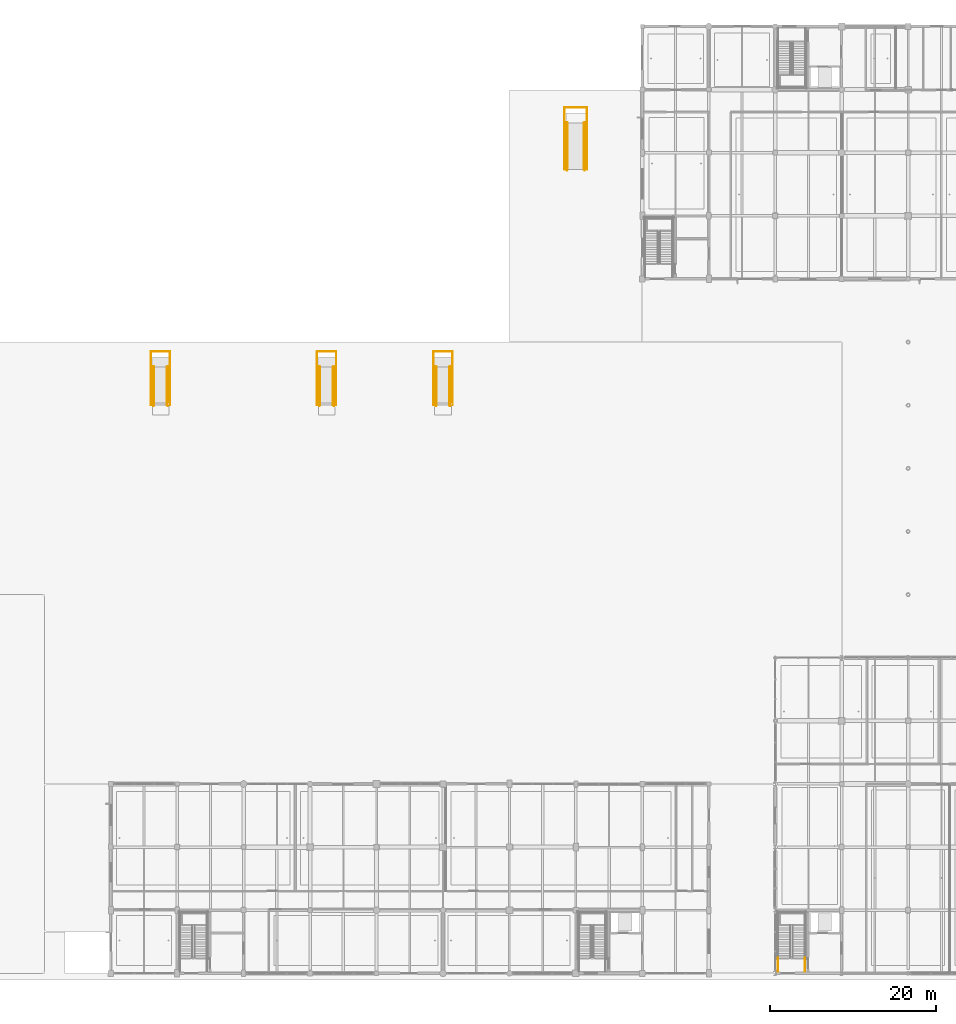
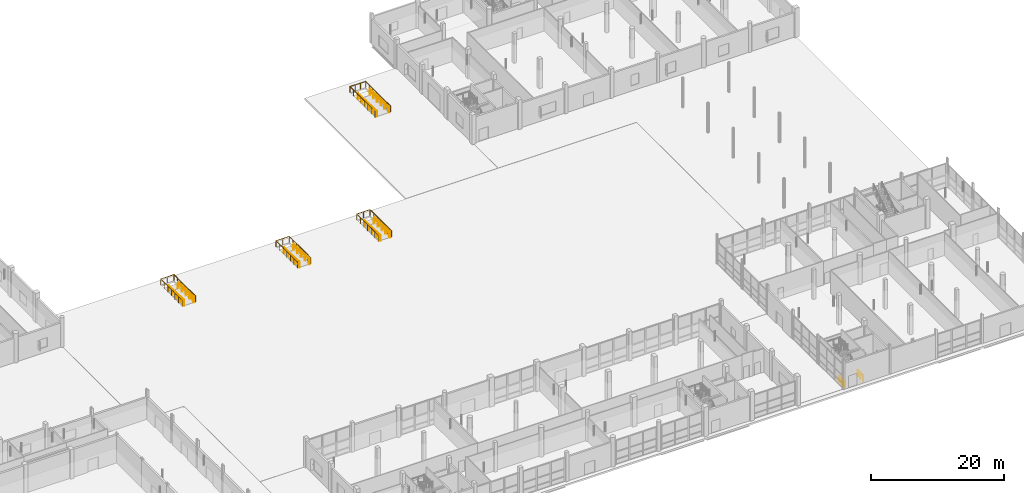
# One storey, part 120 of 126: 22 railings.
"""IFC4 building model written with IfcOpenShell, lengths in metres."""

from ifc_helpers import new_model, si_unit, direction, frame, origin, origin_2d, place, context, subcontext, project, spatial, circle, extrude, material, type_object, element, save


model = new_model("IFC4")

# Units and contexts
model_context = context("Model", 3, precision=1e-05, world=origin(), true_north=direction((0.0, 1.0)))
body_context = subcontext(model_context, "Body", "Model", "MODEL_VIEW")
ifc_project = project(units=[si_unit("LENGTHUNIT", "METRE"), si_unit("AREAUNIT", "SQUARE_METRE"), si_unit("VOLUMEUNIT", "CUBIC_METRE"), si_unit("PLANEANGLEUNIT", "RADIAN"), si_unit("MASSUNIT", "GRAM", prefix="KILO")], contexts=[model_context])

# Site, building, storey
site_placement = place(None, origin())
site = spatial("IfcSite", under=ifc_project, at=site_placement, CompositionType="ELEMENT")
building_placement = place(site_placement, origin())
building = spatial("IfcBuilding", under=site, at=building_placement, Name="Khelvaren Railside Concert Hall", CompositionType="ELEMENT")
storey_placement = place(building_placement, origin())
storey = spatial("IfcBuildingStorey", under=building, at=storey_placement, Name="L00", CompositionType="ELEMENT", Elevation=0.0)

# Railings
ifc_material_1 = material(Name="Painted architectural steel", Category="steel")
railing_type_1 = type_object("IfcRailingType", Name="GRD40", PredefinedType="GUARDRAIL", material=ifc_material_1)
for number, where, name in (
    (1, (70.860107421875, 73.050048828125, -0.199951171875), "Ramp Edge Guardrail RMP-03-L"),
    (2, (69.139892578125, 73.050048828125, -0.199951171875), "Ramp Edge Guardrail RMP-03-R"),
    (3, (90.860107421875, 73.050048828125, -0.199951171875), "Ramp Edge Guardrail RMP-04-L"),
    (4, (89.139892578125, 73.050048828125, -0.199951171875), "Ramp Edge Guardrail RMP-04-R"),
    (5, (104.860107421875, 73.050048828125, -0.199951171875), "Ramp Edge Guardrail RMP-05-L"),
    (6, (103.139892578125, 73.050048828125, -0.199951171875), "Ramp Edge Guardrail RMP-05-R"),
):
    element("IfcRailing", number, at=place(storey_placement, frame(where)), inside=storey, type_object=railing_type_1, Name=name, PredefinedType="GUARDRAIL", context=body_context, shape_type="SweptSolid", body=[
        extrude(circle(Radius=0.02392578125, at=origin_2d()), frame((0.0, 0.0, 1.09619140625), z_axis=(0.0, -1.0, 0.0), x_axis=(1.0, 0.0, 0.0)), (0.0, 0.0, 1.0), 0.050048828125),
        extrude(circle(Radius=0.02392578125, at=origin_2d()), frame((0.0, -0.050048828125, 1.09619140625), z_axis=(0.0, -0.999056658504, 0.043425719314), x_axis=(1.0, 0.0, 0.0)), (0.0, 0.0, 1.0), 4.6044921875),
        extrude(circle(Radius=0.02392578125, at=origin_2d()), frame((0.0, -4.650146484375, 1.2958984375), z_axis=(0.0, -1.0, 0.0), x_axis=(1.0, 0.0, 0.0)), (0.0, 0.0, 1.0), 0.119873046875),
        extrude(circle(Radius=0.02099609375, at=origin_2d()), origin(), (0.0, 0.0, 1.0), 1.072021484375),
        extrude(circle(Radius=0.02099609375, at=origin_2d()), frame((0.0, -0.050048828125, 0.0)), (0.0, 0.0, 1.0), 1.072021484375),
        extrude(circle(Radius=0.02099609375, at=origin_2d()), frame((0.0, -1.2001953125, 0.050048828125)), (0.0, 0.0, 1.0), 1.072021484375),
        extrude(circle(Radius=0.02099609375, at=origin_2d()), frame((0.0, -2.35009765625, 0.10009765625)), (0.0, 0.0, 1.0), 1.072021484375),
        extrude(circle(Radius=0.02099609375, at=origin_2d()), frame((0.0, -3.5, 0.14990234375)), (0.0, 0.0, 1.0), 1.072021484375),
        extrude(circle(Radius=0.02099609375, at=origin_2d()), frame((0.0, -4.650146484375, 0.199951171875)), (0.0, 0.0, 1.0), 1.072021484375),
        extrude(circle(Radius=0.02099609375, at=origin_2d()), frame((0.0, -4.77001953125, 0.199951171875)), (0.0, 0.0, 1.0), 1.072021484375),
    ])
for number, where, name in (
    (7, (121.06005859375, 102.449951171875, -0.199951171875), "Ramp Edge Guardrail RMP-06-L"),
    (8, (118.93994140625, 102.449951171875, -0.199951171875), "Ramp Edge Guardrail RMP-06-R"),
):
    element("IfcRailing", number, at=place(storey_placement, frame(where)), inside=storey, type_object=railing_type_1, Name=name, PredefinedType="GUARDRAIL", context=body_context, shape_type="SweptSolid", body=[
        extrude(circle(Radius=0.02392578125, at=origin_2d()), frame((0.0, 0.0, 1.09619140625), z_axis=(0.0, -1.0, 0.0), x_axis=(1.0, 0.0, 0.0)), (0.0, 0.0, 1.0), 0.050048828125),
        extrude(circle(Radius=0.02392578125, at=origin_2d()), frame((0.0, -0.050048828125, 1.09619140625), z_axis=(0.0, -0.999363131833, 0.035683760081), x_axis=(1.0, 0.0, 0.0)), (0.0, 0.0, 1.0), 5.603515625),
        extrude(circle(Radius=0.02392578125, at=origin_2d()), frame((0.0, -5.64990234375, 1.2958984375), z_axis=(0.0, -1.0, 0.0), x_axis=(1.0, 0.0, 0.0)), (0.0, 0.0, 1.0), 0.1201171875),
        extrude(circle(Radius=0.02099609375, at=origin_2d()), origin(), (0.0, 0.0, 1.0), 1.072021484375),
        extrude(circle(Radius=0.02099609375, at=origin_2d()), frame((0.0, -0.050048828125, 0.0)), (0.0, 0.0, 1.0), 1.072021484375),
        extrude(circle(Radius=0.02099609375, at=origin_2d()), frame((0.0, -1.169921875, 0.0400390625)), (0.0, 0.0, 1.0), 1.072021484375),
        extrude(circle(Radius=0.02099609375, at=origin_2d()), frame((0.0, -2.2900390625, 0.080078125)), (0.0, 0.0, 1.0), 1.072021484375),
        extrude(circle(Radius=0.02099609375, at=origin_2d()), frame((0.0, -3.409912109375, 0.119873046875)), (0.0, 0.0, 1.0), 1.072021484375),
        extrude(circle(Radius=0.02099609375, at=origin_2d()), frame((0.0, -4.530029296875, 0.159912109375)), (0.0, 0.0, 1.0), 1.072021484375),
        extrude(circle(Radius=0.02099609375, at=origin_2d()), frame((0.0, -5.64990234375, 0.199951171875)), (0.0, 0.0, 1.0), 1.072021484375),
        extrude(circle(Radius=0.02099609375, at=origin_2d()), frame((0.0, -5.77001953125, 0.199951171875)), (0.0, 0.0, 1.0), 1.072021484375),
    ])
railing_1_placement = place(storey_placement, frame((68.85009765625, 68.39990234375, 0.0)))
element("IfcRailing", 9, at=railing_1_placement, inside=storey, type_object=railing_type_1, Name="Apron Ramp Pocket Guardrail RMP-03", PredefinedType="GUARDRAIL", context=body_context, shape_type="SweptSolid", body=[
    extrude(circle(Radius=0.02392578125, at=origin_2d()), frame((0.0, 0.0, 1.09619140625), z_axis=(0.0, 1.0, 0.0), x_axis=(-1.0, 0.0, 0.0)), (0.0, 0.0, 1.0), 6.4501953125),
    extrude(circle(Radius=0.02392578125, at=origin_2d()), frame((0.0, 6.4501953125, 1.09619140625), z_axis=(1.0, 0.0, 0.0), x_axis=(0.0, 1.0, 0.0)), (0.0, 0.0, 1.0), 2.2998046875),
    extrude(circle(Radius=0.02392578125, at=origin_2d()), frame((2.2998046875, 6.4501953125, 1.09619140625), z_axis=(0.0, -1.0, 0.0), x_axis=(1.0, 0.0, 0.0)), (0.0, 0.0, 1.0), 6.4501953125),
    extrude(circle(Radius=0.02099609375, at=origin_2d()), origin(), (0.0, 0.0, 1.0), 1.072021484375),
    extrude(circle(Radius=0.02099609375, at=origin_2d()), frame((0.0, 1.074951171875, 0.0)), (0.0, 0.0, 1.0), 1.072021484375),
    extrude(circle(Radius=0.02099609375, at=origin_2d()), frame((0.0, 2.150146484375, 0.0)), (0.0, 0.0, 1.0), 1.072021484375),
    extrude(circle(Radius=0.02099609375, at=origin_2d()), frame((0.0, 3.22509765625, 0.0)), (0.0, 0.0, 1.0), 1.072021484375),
    extrude(circle(Radius=0.02099609375, at=origin_2d()), frame((0.0, 4.300048828125, 0.0)), (0.0, 0.0, 1.0), 1.072021484375),
    extrude(circle(Radius=0.02099609375, at=origin_2d()), frame((0.0, 5.375244140625, 0.0)), (0.0, 0.0, 1.0), 1.072021484375),
    extrude(circle(Radius=0.02099609375, at=origin_2d()), frame((0.0, 6.4501953125, 0.0)), (0.0, 0.0, 1.0), 1.072021484375),
    extrude(circle(Radius=0.02099609375, at=origin_2d()), frame((1.14990234375, 6.4501953125, 0.0)), (0.0, 0.0, 1.0), 1.072021484375),
    extrude(circle(Radius=0.02099609375, at=origin_2d()), frame((2.2998046875, 6.4501953125, 0.0)), (0.0, 0.0, 1.0), 1.072021484375),
    extrude(circle(Radius=0.02099609375, at=origin_2d()), frame((2.2998046875, 5.375244140625, 0.0)), (0.0, 0.0, 1.0), 1.072021484375),
    extrude(circle(Radius=0.02099609375, at=origin_2d()), frame((2.2998046875, 4.300048828125, 0.0)), (0.0, 0.0, 1.0), 1.072021484375),
    extrude(circle(Radius=0.02099609375, at=origin_2d()), frame((2.2998046875, 3.22509765625, 0.0)), (0.0, 0.0, 1.0), 1.072021484375),
    extrude(circle(Radius=0.02099609375, at=origin_2d()), frame((2.2998046875, 2.150146484375, 0.0)), (0.0, 0.0, 1.0), 1.072021484375),
    extrude(circle(Radius=0.02099609375, at=origin_2d()), frame((2.2998046875, 1.074951171875, 0.0)), (0.0, 0.0, 1.0), 1.072021484375),
    extrude(circle(Radius=0.02099609375, at=origin_2d()), frame((2.2998046875, 0.0, 0.0)), (0.0, 0.0, 1.0), 1.072021484375),
])
railing_2_placement = place(storey_placement, frame((88.85009765625, 68.39990234375, 0.0)))
element("IfcRailing", 10, at=railing_2_placement, inside=storey, type_object=railing_type_1, Name="Apron Ramp Pocket Guardrail RMP-04", PredefinedType="GUARDRAIL", context=body_context, shape_type="SweptSolid", body=[
    extrude(circle(Radius=0.02392578125, at=origin_2d()), frame((0.0, 0.0, 1.09619140625), z_axis=(0.0, 1.0, 0.0), x_axis=(-1.0, 0.0, 0.0)), (0.0, 0.0, 1.0), 6.4501953125),
    extrude(circle(Radius=0.02392578125, at=origin_2d()), frame((0.0, 6.4501953125, 1.09619140625), z_axis=(1.0, 0.0, 0.0), x_axis=(0.0, 1.0, 0.0)), (0.0, 0.0, 1.0), 2.2998046875),
    extrude(circle(Radius=0.02392578125, at=origin_2d()), frame((2.2998046875, 6.4501953125, 1.09619140625), z_axis=(0.0, -1.0, 0.0), x_axis=(1.0, 0.0, 0.0)), (0.0, 0.0, 1.0), 6.4501953125),
    extrude(circle(Radius=0.02099609375, at=origin_2d()), origin(), (0.0, 0.0, 1.0), 1.072021484375),
    extrude(circle(Radius=0.02099609375, at=origin_2d()), frame((0.0, 1.074951171875, 0.0)), (0.0, 0.0, 1.0), 1.072021484375),
    extrude(circle(Radius=0.02099609375, at=origin_2d()), frame((0.0, 2.150146484375, 0.0)), (0.0, 0.0, 1.0), 1.072021484375),
    extrude(circle(Radius=0.02099609375, at=origin_2d()), frame((0.0, 3.22509765625, 0.0)), (0.0, 0.0, 1.0), 1.072021484375),
    extrude(circle(Radius=0.02099609375, at=origin_2d()), frame((0.0, 4.300048828125, 0.0)), (0.0, 0.0, 1.0), 1.072021484375),
    extrude(circle(Radius=0.02099609375, at=origin_2d()), frame((0.0, 5.375244140625, 0.0)), (0.0, 0.0, 1.0), 1.072021484375),
    extrude(circle(Radius=0.02099609375, at=origin_2d()), frame((0.0, 6.4501953125, 0.0)), (0.0, 0.0, 1.0), 1.072021484375),
    extrude(circle(Radius=0.02099609375, at=origin_2d()), frame((1.14990234375, 6.4501953125, 0.0)), (0.0, 0.0, 1.0), 1.072021484375),
    extrude(circle(Radius=0.02099609375, at=origin_2d()), frame((2.2998046875, 6.4501953125, 0.0)), (0.0, 0.0, 1.0), 1.072021484375),
    extrude(circle(Radius=0.02099609375, at=origin_2d()), frame((2.2998046875, 5.375244140625, 0.0)), (0.0, 0.0, 1.0), 1.072021484375),
    extrude(circle(Radius=0.02099609375, at=origin_2d()), frame((2.2998046875, 4.300048828125, 0.0)), (0.0, 0.0, 1.0), 1.072021484375),
    extrude(circle(Radius=0.02099609375, at=origin_2d()), frame((2.2998046875, 3.22509765625, 0.0)), (0.0, 0.0, 1.0), 1.072021484375),
    extrude(circle(Radius=0.02099609375, at=origin_2d()), frame((2.2998046875, 2.150146484375, 0.0)), (0.0, 0.0, 1.0), 1.072021484375),
    extrude(circle(Radius=0.02099609375, at=origin_2d()), frame((2.2998046875, 1.074951171875, 0.0)), (0.0, 0.0, 1.0), 1.072021484375),
    extrude(circle(Radius=0.02099609375, at=origin_2d()), frame((2.2998046875, 0.0, 0.0)), (0.0, 0.0, 1.0), 1.072021484375),
])
railing_3_placement = place(storey_placement, frame((102.85009765625, 68.39990234375, 0.0)))
element("IfcRailing", 11, at=railing_3_placement, inside=storey, type_object=railing_type_1, Name="Apron Ramp Pocket Guardrail RMP-05", PredefinedType="GUARDRAIL", context=body_context, shape_type="SweptSolid", body=[
    extrude(circle(Radius=0.02392578125, at=origin_2d()), frame((0.0, 0.0, 1.09619140625), z_axis=(0.0, 1.0, 0.0), x_axis=(-1.0, 0.0, 0.0)), (0.0, 0.0, 1.0), 6.4501953125),
    extrude(circle(Radius=0.02392578125, at=origin_2d()), frame((0.0, 6.4501953125, 1.09619140625), z_axis=(1.0, 0.0, 0.0), x_axis=(0.0, 1.0, 0.0)), (0.0, 0.0, 1.0), 2.2998046875),
    extrude(circle(Radius=0.02392578125, at=origin_2d()), frame((2.2998046875, 6.4501953125, 1.09619140625), z_axis=(0.0, -1.0, 0.0), x_axis=(1.0, 0.0, 0.0)), (0.0, 0.0, 1.0), 6.4501953125),
    extrude(circle(Radius=0.02099609375, at=origin_2d()), origin(), (0.0, 0.0, 1.0), 1.072021484375),
    extrude(circle(Radius=0.02099609375, at=origin_2d()), frame((0.0, 1.074951171875, 0.0)), (0.0, 0.0, 1.0), 1.072021484375),
    extrude(circle(Radius=0.02099609375, at=origin_2d()), frame((0.0, 2.150146484375, 0.0)), (0.0, 0.0, 1.0), 1.072021484375),
    extrude(circle(Radius=0.02099609375, at=origin_2d()), frame((0.0, 3.22509765625, 0.0)), (0.0, 0.0, 1.0), 1.072021484375),
    extrude(circle(Radius=0.02099609375, at=origin_2d()), frame((0.0, 4.300048828125, 0.0)), (0.0, 0.0, 1.0), 1.072021484375),
    extrude(circle(Radius=0.02099609375, at=origin_2d()), frame((0.0, 5.375244140625, 0.0)), (0.0, 0.0, 1.0), 1.072021484375),
    extrude(circle(Radius=0.02099609375, at=origin_2d()), frame((0.0, 6.4501953125, 0.0)), (0.0, 0.0, 1.0), 1.072021484375),
    extrude(circle(Radius=0.02099609375, at=origin_2d()), frame((1.14990234375, 6.4501953125, 0.0)), (0.0, 0.0, 1.0), 1.072021484375),
    extrude(circle(Radius=0.02099609375, at=origin_2d()), frame((2.2998046875, 6.4501953125, 0.0)), (0.0, 0.0, 1.0), 1.072021484375),
    extrude(circle(Radius=0.02099609375, at=origin_2d()), frame((2.2998046875, 5.375244140625, 0.0)), (0.0, 0.0, 1.0), 1.072021484375),
    extrude(circle(Radius=0.02099609375, at=origin_2d()), frame((2.2998046875, 4.300048828125, 0.0)), (0.0, 0.0, 1.0), 1.072021484375),
    extrude(circle(Radius=0.02099609375, at=origin_2d()), frame((2.2998046875, 3.22509765625, 0.0)), (0.0, 0.0, 1.0), 1.072021484375),
    extrude(circle(Radius=0.02099609375, at=origin_2d()), frame((2.2998046875, 2.150146484375, 0.0)), (0.0, 0.0, 1.0), 1.072021484375),
    extrude(circle(Radius=0.02099609375, at=origin_2d()), frame((2.2998046875, 1.074951171875, 0.0)), (0.0, 0.0, 1.0), 1.072021484375),
    extrude(circle(Radius=0.02099609375, at=origin_2d()), frame((2.2998046875, 0.0, 0.0)), (0.0, 0.0, 1.0), 1.072021484375),
])
railing_4_placement = place(storey_placement, frame((118.64990234375, 96.800048828125, 0.0)))
element("IfcRailing", 12, at=railing_4_placement, inside=storey, type_object=railing_type_1, Name="Apron Ramp Pocket Guardrail RMP-06", PredefinedType="GUARDRAIL", context=body_context, shape_type="SweptSolid", body=[
    extrude(circle(Radius=0.02392578125, at=origin_2d()), frame((0.0, 0.0, 1.09619140625), z_axis=(0.0, 1.0, 0.0), x_axis=(-1.0, 0.0, 0.0)), (0.0, 0.0, 1.0), 7.449951171875),
    extrude(circle(Radius=0.02392578125, at=origin_2d()), frame((0.0, 7.449951171875, 1.09619140625), z_axis=(1.0, 0.0, 0.0), x_axis=(0.0, 1.0, 0.0)), (0.0, 0.0, 1.0), 2.7001953125),
    extrude(circle(Radius=0.02392578125, at=origin_2d()), frame((2.7001953125, 7.449951171875, 1.09619140625), z_axis=(0.0, -1.0, 0.0), x_axis=(1.0, 0.0, 0.0)), (0.0, 0.0, 1.0), 7.449951171875),
    extrude(circle(Radius=0.02099609375, at=origin_2d()), origin(), (0.0, 0.0, 1.0), 1.072021484375),
    extrude(circle(Radius=0.02099609375, at=origin_2d()), frame((0.0, 1.064208984375, 0.0)), (0.0, 0.0, 1.0), 1.072021484375),
    extrude(circle(Radius=0.02099609375, at=origin_2d()), frame((0.0, 2.128662109375, 0.0)), (0.0, 0.0, 1.0), 1.072021484375),
    extrude(circle(Radius=0.02099609375, at=origin_2d()), frame((0.0, 3.19287109375, 0.0)), (0.0, 0.0, 1.0), 1.072021484375),
    extrude(circle(Radius=0.02099609375, at=origin_2d()), frame((0.0, 4.257080078125, 0.0)), (0.0, 0.0, 1.0), 1.072021484375),
    extrude(circle(Radius=0.02099609375, at=origin_2d()), frame((0.0, 5.3212890625, 0.0)), (0.0, 0.0, 1.0), 1.072021484375),
    extrude(circle(Radius=0.02099609375, at=origin_2d()), frame((0.0, 6.3857421875, 0.0)), (0.0, 0.0, 1.0), 1.072021484375),
    extrude(circle(Radius=0.02099609375, at=origin_2d()), frame((0.0, 7.449951171875, 0.0)), (0.0, 0.0, 1.0), 1.072021484375),
    extrude(circle(Radius=0.02099609375, at=origin_2d()), frame((0.900146484375, 7.449951171875, 0.0)), (0.0, 0.0, 1.0), 1.072021484375),
    extrude(circle(Radius=0.02099609375, at=origin_2d()), frame((1.800048828125, 7.449951171875, 0.0)), (0.0, 0.0, 1.0), 1.072021484375),
    extrude(circle(Radius=0.02099609375, at=origin_2d()), frame((2.7001953125, 7.449951171875, 0.0)), (0.0, 0.0, 1.0), 1.072021484375),
    extrude(circle(Radius=0.02099609375, at=origin_2d()), frame((2.7001953125, 6.3857421875, 0.0)), (0.0, 0.0, 1.0), 1.072021484375),
    extrude(circle(Radius=0.02099609375, at=origin_2d()), frame((2.7001953125, 5.3212890625, 0.0)), (0.0, 0.0, 1.0), 1.072021484375),
    extrude(circle(Radius=0.02099609375, at=origin_2d()), frame((2.7001953125, 4.257080078125, 0.0)), (0.0, 0.0, 1.0), 1.072021484375),
    extrude(circle(Radius=0.02099609375, at=origin_2d()), frame((2.7001953125, 3.19287109375, 0.0)), (0.0, 0.0, 1.0), 1.072021484375),
    extrude(circle(Radius=0.02099609375, at=origin_2d()), frame((2.7001953125, 2.128662109375, 0.0)), (0.0, 0.0, 1.0), 1.072021484375),
    extrude(circle(Radius=0.02099609375, at=origin_2d()), frame((2.7001953125, 1.064208984375, 0.0)), (0.0, 0.0, 1.0), 1.072021484375),
    extrude(circle(Radius=0.02099609375, at=origin_2d()), frame((2.7001953125, 0.0, 0.0)), (0.0, 0.0, 1.0), 1.072021484375),
])
railing_type_2 = type_object("IfcRailingType", Name="GRD86", PredefinedType="GUARDRAIL", material=ifc_material_1)
for number, where, name in (
    (13, (147.570068359375, 0.239990234375, 0.0), "L00 ST-03 stair guard 8"),
    (14, (144.35009765625, 0.239990234375, 0.0), "L00 ST-03 stair guard 9"),
):
    element("IfcRailing", number, at=place(storey_placement, frame(where)), inside=storey, type_object=railing_type_2, Name=name, PredefinedType="GUARDRAIL", context=body_context, shape_type="SweptSolid", body=[
        extrude(circle(Radius=0.02392578125, at=origin_2d()), frame((0.0, 0.0, 1.076171875), z_axis=(0.0, 1.0, 0.0), x_axis=(-1.0, 0.0, 0.0)), (0.0, 0.0, 1.0), 1.60009765625),
        extrude(circle(Radius=0.02099609375, at=origin_2d()), origin(), (0.0, 0.0, 1.0), 1.052001953125),
        extrude(circle(Radius=0.02099609375, at=origin_2d()), frame((0.0, 0.800048828125, 0.0)), (0.0, 0.0, 1.0), 1.052001953125),
        extrude(circle(Radius=0.02099609375, at=origin_2d()), frame((0.0, 1.60009765625, 0.0)), (0.0, 0.0, 1.0), 1.052001953125),
    ])
ifc_material_2 = material(Name="Brushed stainless steel Grade 316", Category="steel")
railing_type_3 = type_object("IfcRailingType", Name="HRL59", PredefinedType="HANDRAIL", material=ifc_material_2)
for number, where, name in (
    (15, (70.780029296875, 73.0, -0.199951171875), "Ramp Handrail RMP-03-L"),
    (16, (69.219970703125, 73.0, -0.199951171875), "Ramp Handrail RMP-03-R"),
    (17, (90.780029296875, 73.0, -0.199951171875), "Ramp Handrail RMP-04-L"),
    (18, (89.219970703125, 73.0, -0.199951171875), "Ramp Handrail RMP-04-R"),
    (19, (104.780029296875, 73.0, -0.199951171875), "Ramp Handrail RMP-05-L"),
    (20, (103.219970703125, 73.0, -0.199951171875), "Ramp Handrail RMP-05-R"),
):
    element("IfcRailing", number, at=place(storey_placement, frame(where)), inside=storey, type_object=railing_type_3, Name=name, PredefinedType="HANDRAIL", context=body_context, shape_type="SweptSolid", body=[
        extrude(circle(Radius=0.02392578125, at=origin_2d()), frame((0.0, 0.0, 0.8759765625), z_axis=(0.0, -0.999056658504, 0.043425719314), x_axis=(1.0, 0.0, 0.0)), (0.0, 0.0, 1.0), 4.6044921875),
        extrude(circle(Radius=0.02099609375, at=origin_2d()), origin(), (0.0, 0.0, 1.0), 0.851806640625),
        extrude(circle(Radius=0.02099609375, at=origin_2d()), frame((0.0, -1.14990234375, 0.050048828125)), (0.0, 0.0, 1.0), 0.851806640625),
        extrude(circle(Radius=0.02099609375, at=origin_2d()), frame((0.0, -2.300048828125, 0.10009765625)), (0.0, 0.0, 1.0), 0.851806640625),
        extrude(circle(Radius=0.02099609375, at=origin_2d()), frame((0.0, -3.4501953125, 0.14990234375)), (0.0, 0.0, 1.0), 0.851806640625),
        extrude(circle(Radius=0.02099609375, at=origin_2d()), frame((0.0, -4.60009765625, 0.199951171875)), (0.0, 0.0, 1.0), 0.851806640625),
    ])
for number, where, name in (
    (21, (120.97998046875, 102.39990234375, -0.199951171875), "Ramp Handrail RMP-06-L"),
    (22, (119.02001953125, 102.39990234375, -0.199951171875), "Ramp Handrail RMP-06-R"),
):
    element("IfcRailing", number, at=place(storey_placement, frame(where)), inside=storey, type_object=railing_type_3, Name=name, PredefinedType="HANDRAIL", context=body_context, shape_type="SweptSolid", body=[
        extrude(circle(Radius=0.02392578125, at=origin_2d()), frame((0.0, 0.0, 0.8759765625), z_axis=(0.0, -0.999363131833, 0.035683760081), x_axis=(1.0, 0.0, 0.0)), (0.0, 0.0, 1.0), 5.603515625),
        extrude(circle(Radius=0.02099609375, at=origin_2d()), origin(), (0.0, 0.0, 1.0), 0.851806640625),
        extrude(circle(Radius=0.02099609375, at=origin_2d()), frame((0.0, -1.119873046875, 0.0400390625)), (0.0, 0.0, 1.0), 0.851806640625),
        extrude(circle(Radius=0.02099609375, at=origin_2d()), frame((0.0, -2.239990234375, 0.080078125)), (0.0, 0.0, 1.0), 0.851806640625),
        extrude(circle(Radius=0.02099609375, at=origin_2d()), frame((0.0, -3.35986328125, 0.119873046875)), (0.0, 0.0, 1.0), 0.851806640625),
        extrude(circle(Radius=0.02099609375, at=origin_2d()), frame((0.0, -4.47998046875, 0.159912109375)), (0.0, 0.0, 1.0), 0.851806640625),
        extrude(circle(Radius=0.02099609375, at=origin_2d()), frame((0.0, -5.599853515625, 0.199951171875)), (0.0, 0.0, 1.0), 0.851806640625),
    ])

save(model, "model.ifc")
